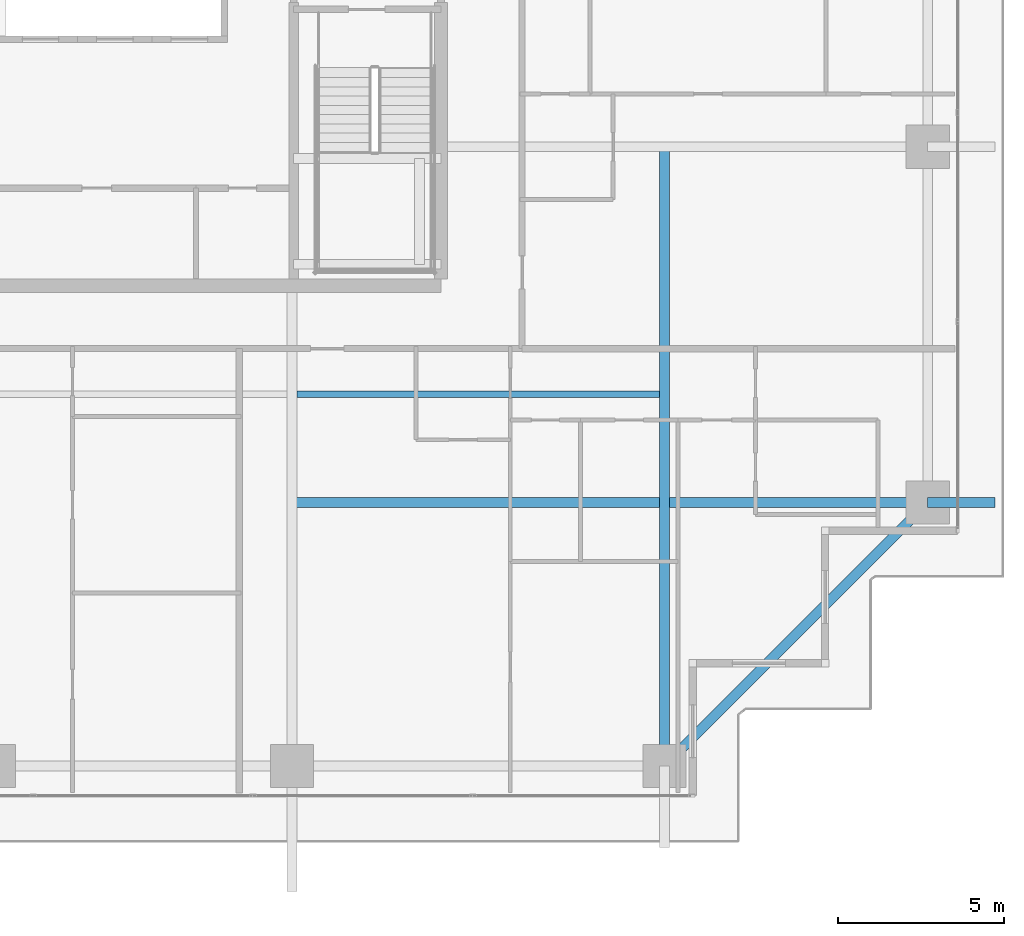
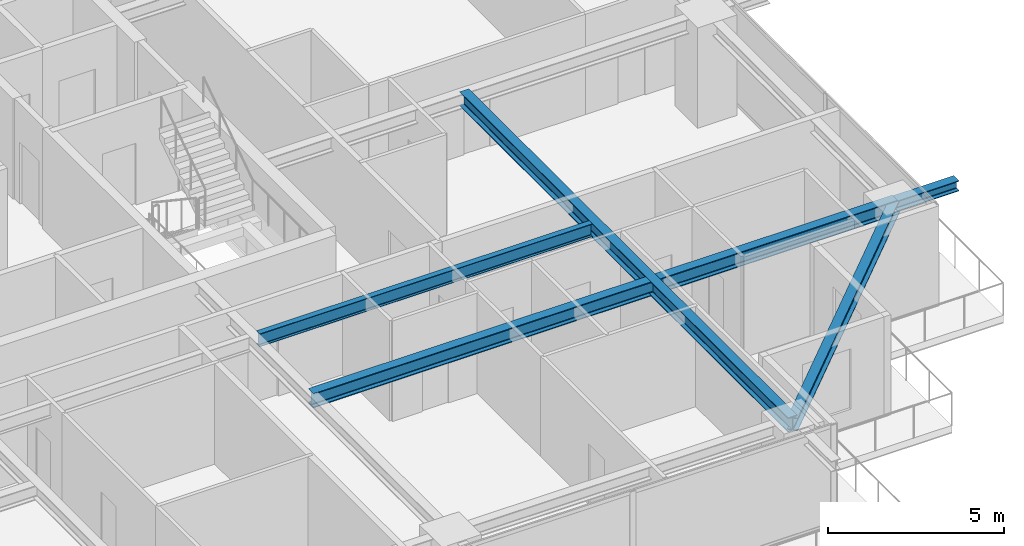
# One storey, part 13 of 37: 5 beams.
"""IFC4 building model written with IfcOpenShell, lengths in metres."""

from ifc_helpers import new_model, si_unit, direction, frame, origin, origin_2d, place, context, subcontext, project, spatial, i_section, extrude, source, transform, mapped, material, material_profile, profile_set, type_object, element, save


model = new_model("IFC4")

# Units and contexts
model_context = context("Model", 3, precision=1e-05, world=origin(), true_north=direction((0.0, 1.0)))
body_context = subcontext(model_context, "Body", "Model", "MODEL_VIEW")
ifc_project = project(units=[si_unit("LENGTHUNIT", "METRE"), si_unit("AREAUNIT", "SQUARE_METRE"), si_unit("VOLUMEUNIT", "CUBIC_METRE"), si_unit("PLANEANGLEUNIT", "RADIAN"), si_unit("MASSUNIT", "GRAM", prefix="KILO")], contexts=[model_context])

# Site, building, storey
site_placement = place(None, origin())
site = spatial("IfcSite", under=ifc_project, at=site_placement, CompositionType="ELEMENT")
building_placement = place(site_placement, origin())
building = spatial("IfcBuilding", under=site, at=building_placement, Name="Serunith Strait Residences", CompositionType="ELEMENT")
storey_placement = place(building_placement, frame((0.0, 0.0, 153.89990234375)))
storey = spatial("IfcBuildingStorey", under=building, at=storey_placement, Name="L38", CompositionType="ELEMENT", Elevation=153.89990234375)

# Beams
ifc_material = material(Name="Steel S355J2", Category="steel")
ifc_material_profile_1 = material_profile(ifc_material, i_section(OverallWidth=0.300048828125, OverallDepth=0.5, WebThickness=0.014404296875, FlangeThickness=0.028076171875, FilletRadius=0.027099609375, at=origin_2d()), Name="HEB 500")
ifc_profile_set_1 = profile_set([ifc_material_profile_1], Name="Steel S355J2")
beam_type_1 = type_object("IfcBeamType", Name="BM-HEB500", PredefinedType="BEAM", material=ifc_profile_set_1)
shared_shape_1 = source(origin(), body_context, "Body", "SweptSolid", [
    extrude(i_section(OverallWidth=0.300048828125, OverallDepth=0.5, WebThickness=0.014404296875, FlangeThickness=0.028076171875, FilletRadius=0.027099609375, at=origin_2d()), origin(), (0.0, 0.0, 1.0), 18.699951171875),
])
beam_1_placement = place(storey_placement, frame((48.14990234375, 21.0, 3.237060546875), z_axis=(0.0, -1.0, 0.0), x_axis=(1.0, 0.0, 0.0)))
element("IfcBeam", 1, at=beam_1_placement, inside=storey, type_object=beam_type_1, Name="L38 Orthogonal Corner Girder TC-S4", PredefinedType="BEAM", context=body_context, shape_type="MappedRepresentation", body=[
    mapped(shared_shape_1, transform((0.0, 0.0, 0.0), scale=1.0)),
])
shared_shape_2 = source(origin(), body_context, "Body", "SweptSolid", [
    extrude(i_section(OverallWidth=0.300048828125, OverallDepth=0.5, WebThickness=0.014404296875, FlangeThickness=0.028076171875, FilletRadius=0.027099609375, at=origin_2d()), origin(), (0.0, 0.0, 1.0), 19.2001953125),
])
beam_2_placement = place(storey_placement, frame((36.89990234375, 10.25, 3.237060546875), z_axis=(1.0, 0.0, 0.0), x_axis=(0.0, 1.0, 0.0)))
element("IfcBeam", 2, at=beam_2_placement, inside=storey, type_object=beam_type_1, Name="L38 Orthogonal Corner Girder TC-E1", PredefinedType="BEAM", context=body_context, shape_type="MappedRepresentation", body=[
    mapped(shared_shape_2, transform((0.0, 0.0, 0.0), scale=1.0)),
])
ifc_material_profile_2 = material_profile(ifc_material, i_section(OverallWidth=0.300048828125, OverallDepth=0.449951171875, WebThickness=0.013916015625, FlangeThickness=0.02587890625, FilletRadius=0.027099609375, at=origin_2d()), Name="HEB 450")
ifc_profile_set_2 = profile_set([ifc_material_profile_2], Name="Steel S355J2")
beam_type_2 = type_object("IfcBeamType", Name="BM-HEB450", PredefinedType="BEAM", material=ifc_profile_set_2)
shared_shape_3 = source(origin(), body_context, "Body", "SweptSolid", [
    extrude(i_section(OverallWidth=0.300048828125, OverallDepth=0.449951171875, WebThickness=0.013916015625, FlangeThickness=0.02587890625, FilletRadius=0.027099609375, at=origin_2d()), origin(), (0.0, 0.0, 1.0), 11.2431640625),
])
beam_3_placement = place(storey_placement, frame((48.14990234375, 2.300048828125, 3.232177734375), z_axis=(0.707117638455, 0.707095923751, 0.0), x_axis=(-0.707095923751, 0.707117638455, 0.0)))
element("IfcBeam", 3, at=beam_3_placement, inside=storey, type_object=beam_type_2, Name="L38 Perimeter Ring Beam 04", PredefinedType="BEAM", context=body_context, shape_type="MappedRepresentation", body=[
    mapped(shared_shape_3, transform((0.0, 0.0, 0.0), scale=1.0)),
])
ifc_material_profile_3 = material_profile(ifc_material, i_section(OverallWidth=0.18994140625, OverallDepth=0.449951171875, WebThickness=0.009521484375, FlangeThickness=0.0146484375, FilletRadius=0.02099609375, at=origin_2d()), Name="IPE 450")
ifc_profile_set_3 = profile_set([ifc_material_profile_3], Name="Steel S355J2")
beam_type_3 = type_object("IfcBeamType", Name="BM-IPE450", PredefinedType="JOIST", material=ifc_profile_set_3)
shared_shape_4 = source(origin(), body_context, "Body", "SweptSolid", [
    extrude(i_section(OverallWidth=0.18994140625, OverallDepth=0.449951171875, WebThickness=0.009521484375, FlangeThickness=0.0146484375, FilletRadius=0.02099609375, at=origin_2d()), origin(), (0.0, 0.0, 1.0), 10.949951171875),
])
beam_4_placement = place(storey_placement, frame((37.050048828125, 13.52490234375, 3.26220703125), z_axis=(1.0, 0.0, 0.0), x_axis=(0.0, 1.0, 0.0)))
element("IfcBeam", 4, at=beam_4_placement, inside=storey, type_object=beam_type_3, Name="L38 Composite Floor Joist 03", PredefinedType="JOIST", context=body_context, shape_type="MappedRepresentation", body=[
    mapped(shared_shape_4, transform((0.0, 0.0, 0.0), scale=1.0)),
])
ifc_material_profile_4 = material_profile(ifc_material, i_section(OverallWidth=0.300048828125, OverallDepth=0.360107421875, WebThickness=0.012451171875, FlangeThickness=0.0224609375, FilletRadius=0.027099609375, at=origin_2d()), Name="HEB 360")
ifc_profile_set_4 = profile_set([ifc_material_profile_4], Name="Steel S355J2")
beam_type_4 = type_object("IfcBeamType", Name="BM-HEB360", PredefinedType="BEAM", material=ifc_profile_set_4)
shared_shape_5 = source(origin(), body_context, "Body", "SweptSolid", [
    extrude(i_section(OverallWidth=0.300048828125, OverallDepth=0.360107421875, WebThickness=0.012451171875, FlangeThickness=0.0224609375, FilletRadius=0.027099609375, at=origin_2d()), origin(), (0.0, 0.0, 1.0), 2.02978515625),
])
beam_5_placement = place(storey_placement, frame((56.10009765625, 10.25, 3.277099609375), z_axis=(1.0, 0.0, 0.0), x_axis=(0.0, 1.0, 0.0)))
element("IfcBeam", 5, at=beam_5_placement, inside=storey, type_object=beam_type_4, Name="L39 Cantilevered Balcony Rib TC-E1", PredefinedType="BEAM", context=body_context, shape_type="MappedRepresentation", body=[
    mapped(shared_shape_5, transform((0.0, 0.0, 0.0), scale=1.0)),
])

save(model, "model.ifc")
